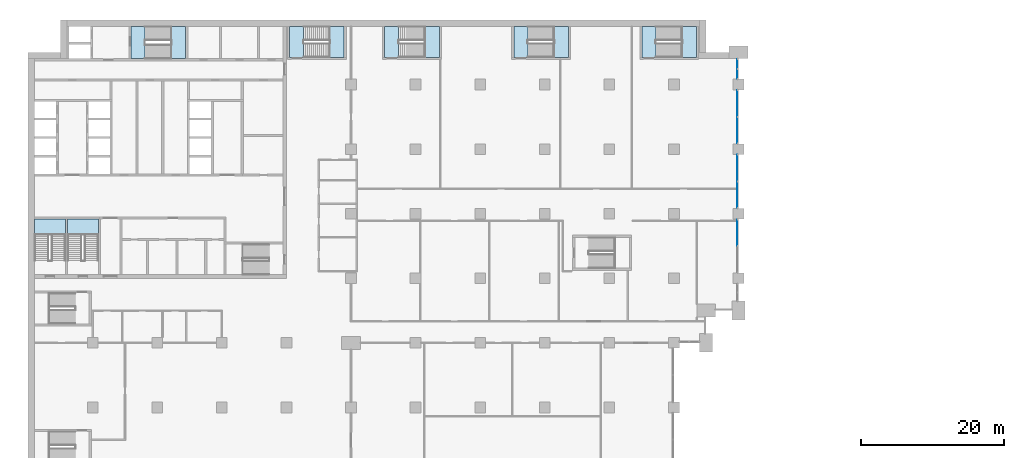
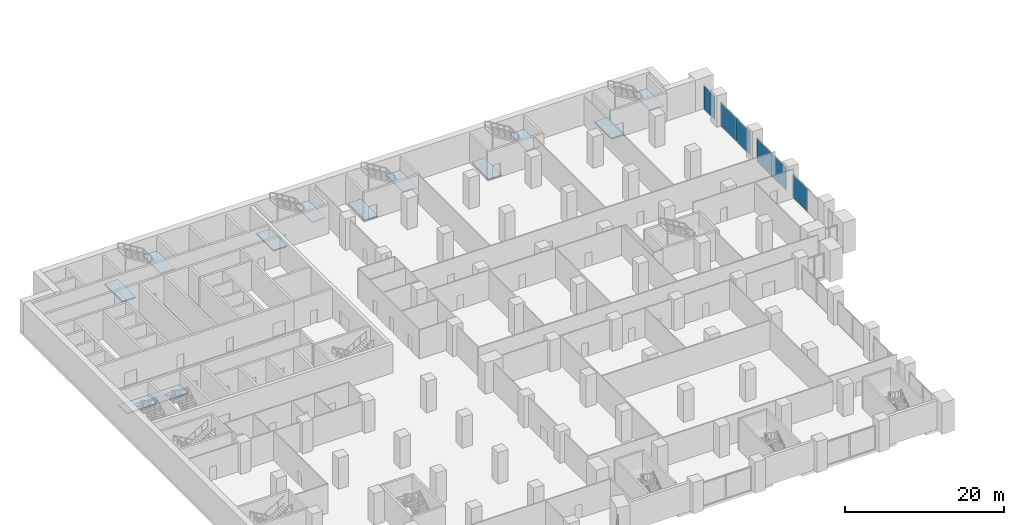
# One storey, part 10 of 31: 12 slabs, 7 plates, 11 elements without a shape of their own.
"""IFC4 building model written with IfcOpenShell, lengths in metres."""

from ifc_helpers import new_model, si_unit, direction, frame, origin, origin_2d, place, context, subcontext, project, spatial, polyline, rectangle, outline, extrude, material, layer, layer_set, type_object, element, aggregate, save


model = new_model("IFC4")

# Units and contexts
model_context = context("Model", 3, precision=1e-05, world=origin(), true_north=direction((0.0, 1.0)))
body_context = subcontext(model_context, "Body", "Model", "MODEL_VIEW")
ifc_project = project(units=[si_unit("LENGTHUNIT", "METRE"), si_unit("AREAUNIT", "SQUARE_METRE"), si_unit("VOLUMEUNIT", "CUBIC_METRE"), si_unit("PLANEANGLEUNIT", "RADIAN"), si_unit("MASSUNIT", "GRAM", prefix="KILO")], contexts=[model_context])

# Site, building, storey
site_placement = place(None, origin())
site = spatial("IfcSite", under=ifc_project, at=site_placement, CompositionType="ELEMENT")
building_placement = place(site_placement, origin())
building = spatial("IfcBuilding", under=site, at=building_placement, Name="Hunhe Ridgeline Campus", CompositionType="ELEMENT")
storey_placement = place(building_placement, frame((0.0, 0.0, 16.800048828125)))
storey = spatial("IfcBuildingStorey", under=building, at=storey_placement, Name="L03", CompositionType="ELEMENT", Elevation=16.800048828125)

# Curtain wall, plate
ifc_material_1 = material(Name="Aluminium and glass", Category="aluminium")
curtain_wall_type = type_object("IfcCurtainWallType", Name="Podium curtain wall CW-2", PredefinedType="NOTDEFINED", material=ifc_material_1)
curtain_wall_1_placement = place(storey_placement, origin())
curtain_wall_1 = element("IfcCurtainWall", 1, at=curtain_wall_1_placement, inside=storey, type_object=curtain_wall_type, Name="L03 podium curtain wall 5", PredefinedType="NOTDEFINED")
ifc_material_2 = material(Name="Clear glass", Category="glass")
ifc_layer_1 = layer(ifc_material_2, 0.028076171875)
ifc_layer_set_1 = layer_set([ifc_layer_1], Name="CW-2 clear glass panel 28")
plate_type = type_object("IfcPlateType", Name="CW-2 clear glass panel 28", PredefinedType="CURTAIN_PANEL", material=ifc_layer_set_1)
plate_1_placement = place(storey_placement, frame((98.85009765625, 69.360107421875, 0.06005859375), z_axis=(0.0, 0.0, 1.0), x_axis=(0.0, 1.0, 0.0)))
plate_1 = element("IfcPlate", 2, at=plate_1_placement, type_object=plate_type, Name="CW2 panel 2.1", PredefinedType="CURTAIN_PANEL", context=body_context, shape_type="SweptSolid", body=[
    extrude(rectangle(XDim=3.659912109375, YDim=0.028076171875, at=origin_2d()), origin(), (0.0, 0.0, 1.0), 3.530029296875),
])
aggregate(curtain_wall_1, [plate_1])

# Curtain wall, plates
curtain_wall_2_placement = place(storey_placement, origin())
curtain_wall_2 = element("IfcCurtainWall", 3, at=curtain_wall_2_placement, inside=storey, type_object=curtain_wall_type, Name="L03 podium curtain wall 6", PredefinedType="NOTDEFINED")
plate_2_placement = place(storey_placement, frame((98.85009765625, 74.639892578125, 0.06005859375), z_axis=(0.0, 0.0, 1.0), x_axis=(0.0, 1.0, 0.0)))
plate_2 = element("IfcPlate", 4, at=plate_2_placement, type_object=plate_type, Name="CW2 panel 1.1", PredefinedType="CURTAIN_PANEL", context=body_context, shape_type="SweptSolid", body=[
    extrude(rectangle(XDim=3.659912109375, YDim=0.028076171875, at=origin_2d()), origin(), (0.0, 0.0, 1.0), 3.530029296875),
])
plate_3_placement = place(storey_placement, frame((98.85009765625, 78.360107421875, 0.06005859375), z_axis=(0.0, 0.0, 1.0), x_axis=(0.0, 1.0, 0.0)))
plate_3 = element("IfcPlate", 5, at=plate_3_placement, type_object=plate_type, Name="CW2 panel 2.1", PredefinedType="CURTAIN_PANEL", context=body_context, shape_type="SweptSolid", body=[
    extrude(rectangle(XDim=3.659912109375, YDim=0.028076171875, at=origin_2d()), origin(), (0.0, 0.0, 1.0), 3.530029296875),
])
aggregate(curtain_wall_2, [plate_2, plate_3])

curtain_wall_3_placement = place(storey_placement, origin())
curtain_wall_3 = element("IfcCurtainWall", 6, at=curtain_wall_3_placement, inside=storey, type_object=curtain_wall_type, Name="L03 podium curtain wall 7", PredefinedType="NOTDEFINED")
plate_4_placement = place(storey_placement, frame((98.85009765625, 83.639892578125, 0.06005859375), z_axis=(0.0, 0.0, 1.0), x_axis=(0.0, 1.0, 0.0)))
plate_4 = element("IfcPlate", 7, at=plate_4_placement, type_object=plate_type, Name="CW2 panel 1.1", PredefinedType="CURTAIN_PANEL", context=body_context, shape_type="SweptSolid", body=[
    extrude(rectangle(XDim=3.659912109375, YDim=0.028076171875, at=origin_2d()), origin(), (0.0, 0.0, 1.0), 3.530029296875),
])
plate_5_placement = place(storey_placement, frame((98.85009765625, 87.360107421875, 0.06005859375), z_axis=(0.0, 0.0, 1.0), x_axis=(0.0, 1.0, 0.0)))
plate_5 = element("IfcPlate", 8, at=plate_5_placement, type_object=plate_type, Name="CW2 panel 2.1", PredefinedType="CURTAIN_PANEL", context=body_context, shape_type="SweptSolid", body=[
    extrude(rectangle(XDim=3.659912109375, YDim=0.028076171875, at=origin_2d()), origin(), (0.0, 0.0, 1.0), 3.530029296875),
])
aggregate(curtain_wall_3, [plate_4, plate_5])

curtain_wall_4_placement = place(storey_placement, origin())
curtain_wall_4 = element("IfcCurtainWall", 9, at=curtain_wall_4_placement, inside=storey, type_object=curtain_wall_type, Name="L03 podium curtain wall 8", PredefinedType="NOTDEFINED")
plate_6_placement = place(storey_placement, frame((98.85009765625, 91.4775390625, 0.06005859375), z_axis=(0.0, 0.0, 1.0), x_axis=(0.0, 1.0, 0.0)))
plate_6 = element("IfcPlate", 10, at=plate_6_placement, type_object=plate_type, Name="CW2 panel 1.1", PredefinedType="CURTAIN_PANEL", context=body_context, shape_type="SweptSolid", body=[
    extrude(rectangle(XDim=1.3349609375, YDim=0.028076171875, at=origin_2d()), origin(), (0.0, 0.0, 1.0), 3.530029296875),
])
plate_7_placement = place(storey_placement, frame((98.85009765625, 92.87255859375, 0.06005859375), z_axis=(0.0, 0.0, 1.0), x_axis=(0.0, 1.0, 0.0)))
plate_7 = element("IfcPlate", 11, at=plate_7_placement, type_object=plate_type, Name="CW2 panel 2.1", PredefinedType="CURTAIN_PANEL", context=body_context, shape_type="SweptSolid", body=[
    extrude(rectangle(XDim=1.3349609375, YDim=0.028076171875, at=origin_2d()), origin(), (0.0, 0.0, 1.0), 3.530029296875),
])
aggregate(curtain_wall_4, [plate_6, plate_7])

# Stair, slab
ifc_material_3 = material(Name="Concrete C40", Category="concrete")
stair_type = type_object("IfcStairType", Name="Reinforced concrete dog-leg stair 1950 Concrete C40", PredefinedType="HALF_TURN_STAIR", material=ifc_material_3)
stair_1_placement = place(storey_placement, origin())
stair_1 = element("IfcStair", 12, at=stair_1_placement, inside=storey, type_object=stair_type, Name="L03 S1", PredefinedType="HALF_TURN_STAIR")
ifc_layer_2 = layer(ifc_material_3, 0.199951171875)
ifc_layer_set_2 = layer_set([ifc_layer_2], Name="Reinforced concrete stair landing 200 Concrete C40")
slab_type = type_object("IfcSlabType", Name="Reinforced concrete stair landing 200 Concrete C40", PredefinedType="LANDING", material=ifc_layer_set_2)
slab_1_placement = place(storey_placement, frame((0.0, 0.0, 2.199951171875)))
slab_1 = element("IfcSlab", 13, at=slab_1_placement, type_object=slab_type, Name="ST1 landing 1", PredefinedType="LANDING", context=body_context, shape_type="SweptSolid", body=[
    extrude(outline(polyline([(19.93994140625, 93.60009765625), (21.949951171875, 93.60009765625), (21.949951171875, 98.10009765625), (19.93994140625, 98.10009765625), (19.93994140625, 93.60009765625)])), origin(), (0.0, 0.0, 1.0), 0.199951171875),
])
aggregate(stair_1, [slab_1])

# Slab
slab_2_placement = place(storey_placement, frame((0.0, 0.0, -0.199951171875)))
element("IfcSlab", 14, at=slab_2_placement, inside=storey, type_object=slab_type, Name="L03 stair S1 floor landing", PredefinedType="LANDING", context=body_context, shape_type="SweptSolid", body=[
    extrude(outline(polyline([(14.35009765625, 93.60009765625), (16.300048828125, 93.60009765625), (16.300048828125, 98.10009765625), (14.35009765625, 98.10009765625), (14.35009765625, 93.60009765625)])), origin(), (0.0, 0.0, 1.0), 0.199951171875),
])

# Stair, slab
stair_2_placement = place(storey_placement, origin())
stair_2 = element("IfcStair", 15, at=stair_2_placement, inside=storey, type_object=stair_type, Name="L03 S3", PredefinedType="HALF_TURN_STAIR")
slab_3_placement = place(storey_placement, frame((0.0, 0.0, 2.199951171875)))
slab_3 = element("IfcSlab", 16, at=slab_3_placement, type_object=slab_type, Name="ST3 landing 1", PredefinedType="LANDING", context=body_context, shape_type="SweptSolid", body=[
    extrude(outline(polyline([(5.199951171875, 69.090087890625), (5.199951171875, 71.25), (0.89990234375, 71.25), (0.89990234375, 69.090087890625), (5.199951171875, 69.090087890625)])), origin(), (0.0, 0.0, 1.0), 0.199951171875),
])
aggregate(stair_2, [slab_3])

stair_3_placement = place(storey_placement, origin())
stair_3 = element("IfcStair", 17, at=stair_3_placement, inside=storey, type_object=stair_type, Name="L03 S4", PredefinedType="HALF_TURN_STAIR")
slab_4_placement = place(storey_placement, frame((0.0, 0.0, 2.199951171875)))
slab_4 = element("IfcSlab", 18, at=slab_4_placement, type_object=slab_type, Name="ST4 landing 1", PredefinedType="LANDING", context=body_context, shape_type="SweptSolid", body=[
    extrude(outline(polyline([(9.800048828125, 69.090087890625), (9.800048828125, 71.25), (5.5, 71.25), (5.5, 69.090087890625), (9.800048828125, 69.090087890625)])), origin(), (0.0, 0.0, 1.0), 0.199951171875),
])
aggregate(stair_3, [slab_4])

stair_4_placement = place(storey_placement, origin())
stair_4 = element("IfcStair", 19, at=stair_4_placement, inside=storey, type_object=stair_type, Name="L03 E1", PredefinedType="HALF_TURN_STAIR")
slab_5_placement = place(storey_placement, frame((0.0, 0.0, 2.199951171875)))
slab_5 = element("IfcSlab", 20, at=slab_5_placement, type_object=slab_type, Name="ST5 landing 1", PredefinedType="LANDING", context=body_context, shape_type="SweptSolid", body=[
    extrude(outline(polyline([(42.0400390625, 93.800048828125), (44.050048828125, 93.800048828125), (44.050048828125, 98.10009765625), (42.0400390625, 98.10009765625), (42.0400390625, 93.800048828125)])), origin(), (0.0, 0.0, 1.0), 0.199951171875),
])
aggregate(stair_4, [slab_5])

# Slab
slab_6_placement = place(storey_placement, frame((0.0, 0.0, -0.199951171875)))
element("IfcSlab", 21, at=slab_6_placement, inside=storey, type_object=slab_type, Name="L03 stair E1 floor landing", PredefinedType="LANDING", context=body_context, shape_type="SweptSolid", body=[
    extrude(outline(polyline([(36.449951171875, 93.800048828125), (38.39990234375, 93.800048828125), (38.39990234375, 98.10009765625), (36.449951171875, 98.10009765625), (36.449951171875, 93.800048828125)])), origin(), (0.0, 0.0, 1.0), 0.199951171875),
])

# Stair, slab
stair_5_placement = place(storey_placement, origin())
stair_5 = element("IfcStair", 22, at=stair_5_placement, inside=storey, type_object=stair_type, Name="L03 E2", PredefinedType="HALF_TURN_STAIR")
slab_7_placement = place(storey_placement, frame((0.0, 0.0, 2.199951171875)))
slab_7 = element("IfcSlab", 23, at=slab_7_placement, type_object=slab_type, Name="ST6 landing 1", PredefinedType="LANDING", context=body_context, shape_type="SweptSolid", body=[
    extrude(outline(polyline([(55.2900390625, 93.800048828125), (57.300048828125, 93.800048828125), (57.300048828125, 98.10009765625), (55.2900390625, 98.10009765625), (55.2900390625, 93.800048828125)])), origin(), (0.0, 0.0, 1.0), 0.199951171875),
])
aggregate(stair_5, [slab_7])

# Slab
slab_8_placement = place(storey_placement, frame((0.0, 0.0, -0.199951171875)))
element("IfcSlab", 24, at=slab_8_placement, inside=storey, type_object=slab_type, Name="L03 stair E2 floor landing", PredefinedType="LANDING", context=body_context, shape_type="SweptSolid", body=[
    extrude(outline(polyline([(49.699951171875, 93.800048828125), (51.64990234375, 93.800048828125), (51.64990234375, 98.10009765625), (49.699951171875, 98.10009765625), (49.699951171875, 93.800048828125)])), origin(), (0.0, 0.0, 1.0), 0.199951171875),
])

# Stair, slab
stair_6_placement = place(storey_placement, origin())
stair_6 = element("IfcStair", 25, at=stair_6_placement, inside=storey, type_object=stair_type, Name="L03 E3", PredefinedType="HALF_TURN_STAIR")
slab_9_placement = place(storey_placement, frame((0.0, 0.0, 2.199951171875)))
slab_9 = element("IfcSlab", 26, at=slab_9_placement, type_object=slab_type, Name="ST7 landing 1", PredefinedType="LANDING", context=body_context, shape_type="SweptSolid", body=[
    extrude(outline(polyline([(73.2900390625, 93.800048828125), (75.300048828125, 93.800048828125), (75.300048828125, 98.10009765625), (73.2900390625, 98.10009765625), (73.2900390625, 93.800048828125)])), origin(), (0.0, 0.0, 1.0), 0.199951171875),
])
aggregate(stair_6, [slab_9])

# Slab
slab_10_placement = place(storey_placement, frame((0.0, 0.0, -0.199951171875)))
element("IfcSlab", 27, at=slab_10_placement, inside=storey, type_object=slab_type, Name="L03 stair E3 floor landing", PredefinedType="LANDING", context=body_context, shape_type="SweptSolid", body=[
    extrude(outline(polyline([(67.699951171875, 93.800048828125), (69.64990234375, 93.800048828125), (69.64990234375, 98.10009765625), (67.699951171875, 98.10009765625), (67.699951171875, 93.800048828125)])), origin(), (0.0, 0.0, 1.0), 0.199951171875),
])

# Stair, slab
stair_7_placement = place(storey_placement, origin())
stair_7 = element("IfcStair", 28, at=stair_7_placement, inside=storey, type_object=stair_type, Name="L03 E4", PredefinedType="HALF_TURN_STAIR")
slab_11_placement = place(storey_placement, frame((0.0, 0.0, 2.199951171875)))
slab_11 = element("IfcSlab", 29, at=slab_11_placement, type_object=slab_type, Name="ST8 landing 1", PredefinedType="LANDING", context=body_context, shape_type="SweptSolid", body=[
    extrude(outline(polyline([(91.139892578125, 93.800048828125), (93.14990234375, 93.800048828125), (93.14990234375, 98.10009765625), (91.139892578125, 98.10009765625), (91.139892578125, 93.800048828125)])), origin(), (0.0, 0.0, 1.0), 0.199951171875),
])
aggregate(stair_7, [slab_11])

# Slab
slab_12_placement = place(storey_placement, frame((0.0, 0.0, -0.199951171875)))
element("IfcSlab", 30, at=slab_12_placement, inside=storey, type_object=slab_type, Name="L03 stair E4 floor landing", PredefinedType="LANDING", context=body_context, shape_type="SweptSolid", body=[
    extrude(outline(polyline([(85.550048828125, 93.800048828125), (87.5, 93.800048828125), (87.5, 98.10009765625), (85.550048828125, 98.10009765625), (85.550048828125, 93.800048828125)])), origin(), (0.0, 0.0, 1.0), 0.199951171875),
])

save(model, "model.ifc")
